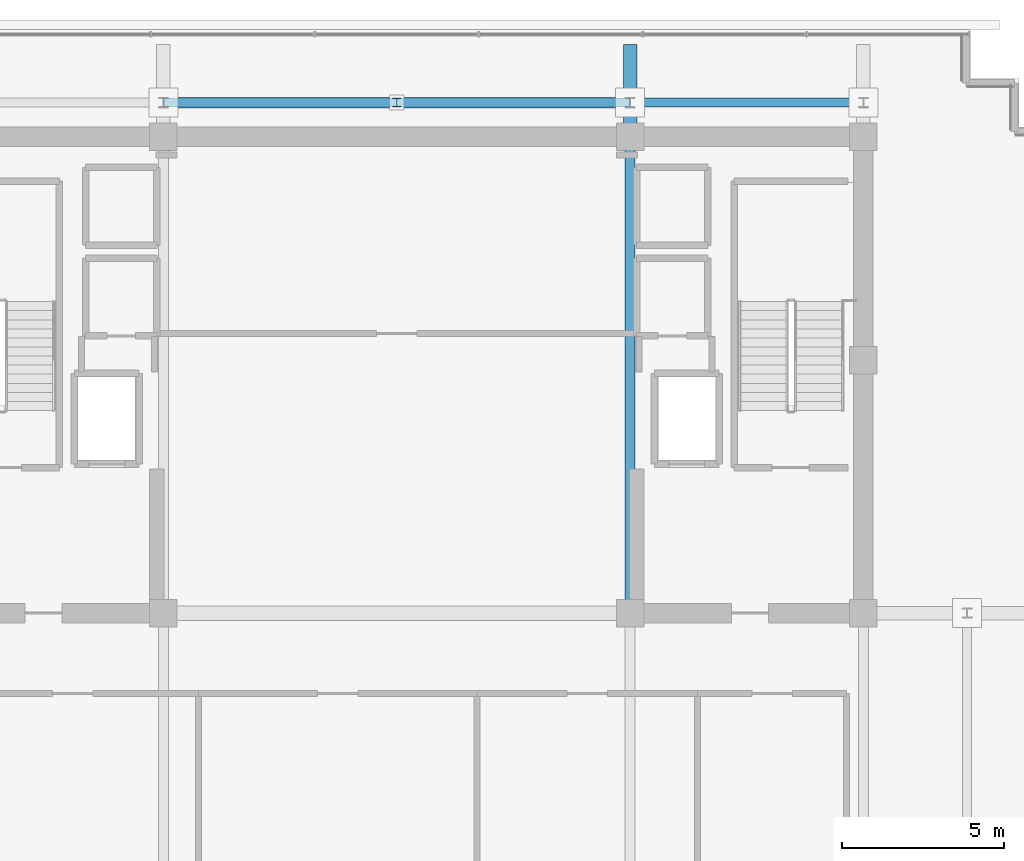
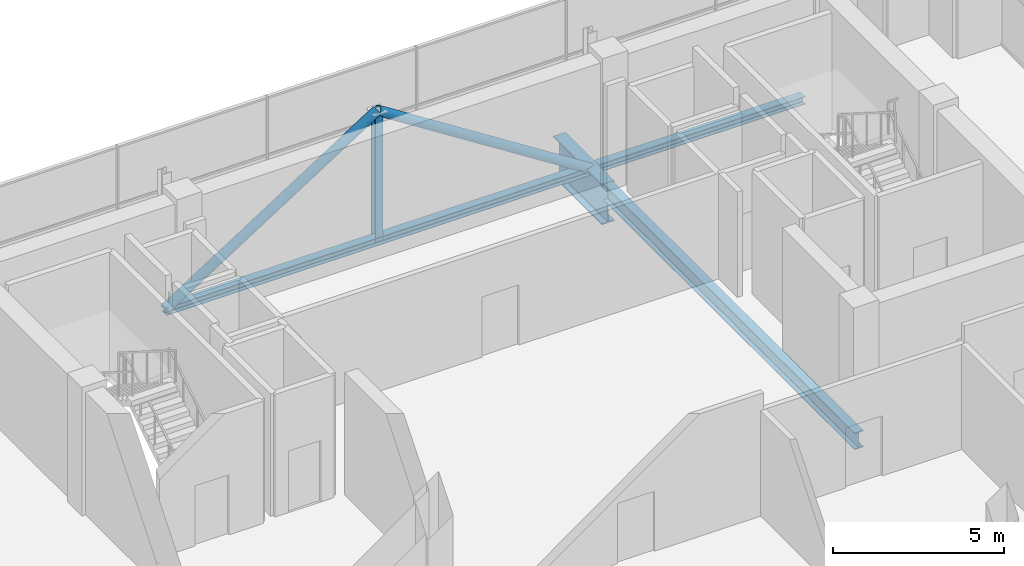
# One storey, part 14 of 28: 4 beams, 3 members.
"""IFC4 building model written with IfcOpenShell, lengths in metres."""

import ifcopenshell
import ifcopenshell.guid

model = None  # the IFC model being written
_history = None  # IfcOwnerHistory: only IFC2X3 demands one
_inside = {}  # id of a spatial element -> (the spatial element, [elements in it])
_under = {}  # id of a project, library or spatial element -> (it, [spatial elements below it])
_declared = {}  # id of a project -> (the project, [libraries it declares])
_typed = {}  # id of a type object -> (the type object, [elements of that type])
_made_of = {}  # id of a material, layer set ... -> (it, [elements and type objects made of it])


def new_model(schema):
    """Start an empty IFC model of exactly this schema.

    Asked for "IFC4X3", IfcOpenShell would pick the latest addendum, in which some entities
    have other attributes; the version numbers below select the first issue.
    IFC2X3 requires an IfcOwnerHistory on every rooted entity: one is made here for all.
    """
    global model, _history
    if schema == "IFC4X3":
        model = ifcopenshell.file(schema_version=(4, 3, 0, 0))
    else:
        model = ifcopenshell.file(schema=schema)
    _inside.clear()
    _under.clear()
    _declared.clear()
    _typed.clear()
    _made_of.clear()
    _history = None
    if model.schema == "IFC2X3":
        org = make("IfcOrganization", Name="unknown")
        user = make(
            "IfcPersonAndOrganization",
            ThePerson=make("IfcPerson", FamilyName="unknown"),
            TheOrganization=org,
        )
        app = make(
            "IfcApplication",
            ApplicationDeveloper=org,
            Version="unknown",
            ApplicationFullName="unknown",
            ApplicationIdentifier="unknown",
        )
        _history = make(
            "IfcOwnerHistory",
            OwningUser=user,
            OwningApplication=app,
            ChangeAction="ADDED",
            CreationDate=0,
        )
    return model


def make(cls, **values):
    """One entity of the class cls with the attributes given. An attribute that is None is left unset."""
    return model.create_entity(
        cls, **{name: value for name, value in values.items() if value is not None}
    )


def rooted(cls, **values):
    """An entity with a GlobalId (a new one), such as an element, a storey or a relation."""
    return make(cls, GlobalId=ifcopenshell.guid.new(), OwnerHistory=_history, **values)


def si_unit(unit_type, name, prefix=None):
    """IfcSIUnit, for example si_unit("LENGTHUNIT", "METRE", prefix="MILLI")."""
    return make("IfcSIUnit", UnitType=unit_type, Prefix=prefix, Name=name)


def assignment(units):
    """IfcUnitAssignment: the units of a project."""
    return None if units is None else make("IfcUnitAssignment", Units=units)


def point(xyz):
    """IfcCartesianPoint."""
    return None if xyz is None else make("IfcCartesianPoint", Coordinates=xyz)


def direction(xyz):
    """IfcDirection."""
    return None if xyz is None else make("IfcDirection", DirectionRatios=xyz)


def frame(location, z_axis=None, x_axis=None):
    """IfcAxis2Placement3D, a coordinate frame: its origin and axes. An axis left out is left unset."""
    return make(
        "IfcAxis2Placement3D",
        Location=point(location),
        Axis=direction(z_axis),
        RefDirection=direction(x_axis),
    )


def frame_2d(location, x_axis=None):
    """IfcAxis2Placement2D, a coordinate frame in the plane: its origin and x axis."""
    return make(
        "IfcAxis2Placement2D", Location=point(location), RefDirection=direction(x_axis)
    )


def origin():
    """The frame at (0, 0, 0) with its axes left unset."""
    return frame((0.0, 0.0, 0.0))


def origin_2d():
    """The frame at (0, 0) in the plane with its x axis left unset."""
    return frame_2d((0.0, 0.0))


def place(relative_to, where):
    """IfcLocalPlacement: puts the frame where relative to a parent placement (None: the world)."""
    return make(
        "IfcLocalPlacement", PlacementRelTo=relative_to, RelativePlacement=where
    )


def context(
    kind, dimensions, precision=None, world=None, true_north=None, identifier=None
):
    """IfcGeometricRepresentationContext, for example the 3D "Model" context."""
    return make(
        "IfcGeometricRepresentationContext",
        ContextIdentifier=identifier,
        ContextType=kind,
        CoordinateSpaceDimension=dimensions,
        Precision=precision,
        WorldCoordinateSystem=world,
        TrueNorth=true_north,
    )


def subcontext(parent, identifier, kind, view, scale=None):
    """IfcGeometricRepresentationSubContext, for example "Body" below "Model"."""
    return make(
        "IfcGeometricRepresentationSubContext",
        ContextIdentifier=identifier,
        ContextType=kind,
        ParentContext=parent,
        TargetScale=scale,
        TargetView=view,
    )


def project(units=None, contexts=None):
    """IfcProject with its units and contexts."""
    return rooted(
        "IfcProject",
        Name="project",
        RepresentationContexts=contexts,
        UnitsInContext=assignment(units),
    )


def spatial(cls, under=None, at=None, **own):
    """A site, building, storey or space (cls), placed at a placement, below another one or the project."""
    s = rooted(cls, ObjectPlacement=at, **own)
    if under is not None:
        _under.setdefault(under.id(), (under, []))[1].append(s)
    return s


def profile(cls, at=None, kind="AREA", **sizes):
    """A parametric profile (cls). Its sizes go by their IFC names, for example OverallWidth=200.0."""
    return make(cls, ProfileType=kind, Position=at, **sizes)


def hollow_circle(**sizes):
    """IfcCircleHollowProfileDef."""
    return profile("IfcCircleHollowProfileDef", **sizes)


def i_section(**sizes):
    """IfcIShapeProfileDef."""
    return profile("IfcIShapeProfileDef", **sizes)


def extrude(swept, where, along, depth):
    """IfcExtrudedAreaSolid: the profile swept, set in the frame where, extruded along a direction by depth."""
    return make(
        "IfcExtrudedAreaSolid",
        SweptArea=swept,
        Position=where,
        ExtrudedDirection=direction(along),
        Depth=depth,
    )


def shape(context_of_items, identifier, shape_type, items):
    """IfcShapeRepresentation: the items that make up one representation, for example the "Body"."""
    return make(
        "IfcShapeRepresentation",
        ContextOfItems=context_of_items,
        RepresentationIdentifier=identifier,
        RepresentationType=shape_type,
        Items=items,
    )


def source(mapping_origin, context_of_items, identifier, shape_type, items):
    """IfcRepresentationMap: a shape defined once, which mapped items show again and again."""
    return make(
        "IfcRepresentationMap",
        MappingOrigin=mapping_origin,
        MappedRepresentation=shape(context_of_items, identifier, shape_type, items),
    )


def transform(
    local_origin,
    x_axis=None,
    y_axis=None,
    z_axis=None,
    scale=None,
    scale2=None,
    scale3=None,
    uniform=True,
):
    """IfcCartesianTransformationOperator3D, or its non-uniform kind. x_axis, y_axis, z_axis: its Axis1, 2, 3."""
    if uniform:
        return make(
            "IfcCartesianTransformationOperator3D",
            Axis1=direction(x_axis),
            Axis2=direction(y_axis),
            LocalOrigin=point(local_origin),
            Scale=scale,
            Axis3=direction(z_axis),
        )
    return make(
        "IfcCartesianTransformationOperator3DnonUniform",
        Axis1=direction(x_axis),
        Axis2=direction(y_axis),
        LocalOrigin=point(local_origin),
        Scale=scale,
        Axis3=direction(z_axis),
        Scale2=scale2,
        Scale3=scale3,
    )


def mapped(mapping_source, mapping_target):
    """IfcMappedItem: shows the shape of a source again, moved by a transform."""
    return make(
        "IfcMappedItem", MappingSource=mapping_source, MappingTarget=mapping_target
    )


def material(Name=None, Category=None):
    """IfcMaterial."""
    return make("IfcMaterial", Name=Name, Category=Category)


def material_profile(
    of_material, cross_section, Name=None, Category=None, Priority=None
):
    """IfcMaterialProfile: a cross section and its material."""
    return make(
        "IfcMaterialProfile",
        Name=Name,
        Material=of_material,
        Profile=cross_section,
        Priority=Priority,
        Category=Category,
    )


def profile_set(profiles, Name=None, composite=None):
    """IfcMaterialProfileSet."""
    return make(
        "IfcMaterialProfileSet",
        Name=Name,
        MaterialProfiles=profiles,
        CompositeProfile=composite,
    )


def made_of(thing, what):
    """Note that an element or type object is made of a material, layer set ...; save() writes the relation."""
    if what is not None:
        _made_of.setdefault(what.id(), (what, []))[1].append(thing)
    return thing


def type_object(cls, material=None, **own):
    """A type object (cls), such as IfcWallType, which elements share."""
    return made_of(rooted(cls, **own), material)


def element(
    cls,
    number,
    at=None,
    inside=None,
    cuts=None,
    type_object=None,
    material=None,
    context=None,
    identifier="Body",
    shape_type=None,
    held_by="IfcProductDefinitionShape",
    body=None,
    shapes=None,
    **own,
):
    """One element of the class cls, such as IfcWall. Its Tag is "e" and its number.

    at: its placement. inside: the storey or other place that contains it. cuts: it is an
    opening in that element (IfcRelVoidsElement). A single representation is given by context,
    identifier, shape_type and body (its items); several are given by shapes. held_by: the class
    of the entity that holds the representations. save() writes the other relations.
    """
    e = rooted(cls, Tag="e%d" % number, ObjectPlacement=at, **own)
    if body is not None:
        shapes = [shape(context, identifier, shape_type, body)]
    if shapes is not None:
        e.Representation = make(held_by, Representations=shapes)
    if inside is not None:
        _inside.setdefault(inside.id(), (inside, []))[1].append(e)
    if cuts is not None:
        rooted(
            "IfcRelVoidsElement", RelatingBuildingElement=cuts, RelatedOpeningElement=e
        )
    if type_object is not None:
        _typed.setdefault(type_object.id(), (type_object, []))[1].append(e)
    return made_of(e, material)


def aggregate(whole, parts):
    """IfcRelAggregates: a whole, such as a stair, and the parts it consists of."""
    return rooted("IfcRelAggregates", RelatingObject=whole, RelatedObjects=parts)


def save(model, path):
    """Write the relations noted so far, then the file.

    IfcRelAggregates (storeys below a building ...), IfcRelContainedInSpatialStructure (elements
    in a storey), IfcRelDefinesByType, IfcRelAssociatesMaterial and IfcRelDeclares: one each for
    every whole, place, type object, material and project.
    """
    for whole, parts in _under.values():
        aggregate(whole, parts)
    for where, things in _inside.values():
        rooted(
            "IfcRelContainedInSpatialStructure",
            RelatedElements=things,
            RelatingStructure=where,
        )
    for kind, things in _typed.values():
        rooted("IfcRelDefinesByType", RelatedObjects=things, RelatingType=kind)
    for what, things in _made_of.values():
        rooted("IfcRelAssociatesMaterial", RelatedObjects=things, RelatingMaterial=what)
    for by, libraries in _declared.values():
        rooted("IfcRelDeclares", RelatingContext=by, RelatedDefinitions=libraries)
    model.write(path)


model = new_model("IFC4")

# Units and contexts
model_context = context("Model", 3, precision=1e-05, world=origin(), true_north=direction((0.0, 1.0)))
body_context = subcontext(model_context, "Body", "Model", "MODEL_VIEW")
ifc_project = project(units=[si_unit("LENGTHUNIT", "METRE"), si_unit("AREAUNIT", "SQUARE_METRE"), si_unit("VOLUMEUNIT", "CUBIC_METRE"), si_unit("PLANEANGLEUNIT", "RADIAN"), si_unit("MASSUNIT", "GRAM", prefix="KILO")], contexts=[model_context])

# Site, building, storey
site_placement = place(None, origin())
site = spatial("IfcSite", under=ifc_project, at=site_placement, CompositionType="ELEMENT")
building_placement = place(site_placement, origin())
building = spatial("IfcBuilding", under=site, at=building_placement, Name="Zarnakvel Exchange Tower", CompositionType="ELEMENT")
storey_placement = place(building_placement, frame((0.0, 0.0, 271.60009765625)))
storey = spatial("IfcBuildingStorey", under=building, at=storey_placement, Name="Crown L77", CompositionType="ELEMENT", Elevation=271.60009765625)

# Beams
ifc_material_1 = material(Name="Steel S355", Category="steel")
ifc_material_profile_1 = material_profile(ifc_material_1, i_section(OverallWidth=0.300048828125, OverallDepth=0.60009765625, WebThickness=0.015380859375, FlangeThickness=0.030029296875, FilletRadius=0.027099609375, at=origin_2d()))
ifc_profile_set_1 = profile_set([ifc_material_profile_1], Name="Steel S355")
beam_type_1 = type_object("IfcBeamType", Name="G-04", PredefinedType="BEAM", material=ifc_profile_set_1)
beam_1_placement = place(storey_placement, frame((7.199951171875, -1.199951171875, -0.52001953125), z_axis=(0.0, 1.0, 0.0), x_axis=(-1.0, 0.0, 0.0)))
element("IfcBeam", 1, at=beam_1_placement, inside=storey, type_object=beam_type_1, Name="Crown L77 Tower N-S Frame Beam", PredefinedType="BEAM", context=body_context, shape_type="SweptSolid", body=[
    extrude(i_section(OverallWidth=0.300048828125, OverallDepth=0.60009765625, WebThickness=0.015380859375, FlangeThickness=0.030029296875, FilletRadius=0.027099609375, at=origin_2d()), origin(), (0.0, 0.0, 1.0), 14.699951171875),
])
ifc_material_profile_2 = material_profile(ifc_material_1, i_section(OverallWidth=0.280029296875, OverallDepth=0.280029296875, WebThickness=0.010498046875, FlangeThickness=0.01806640625, FilletRadius=0.02392578125, at=origin_2d()))
ifc_profile_set_2 = profile_set([ifc_material_profile_2], Name="Steel S355")
beam_type_2 = type_object("IfcBeamType", Name="SP-04", PredefinedType="SPANDREL", material=ifc_profile_set_2)
beam_2_placement = place(storey_placement, frame((-7.199951171875, 14.550048828125, -0.360107421875), z_axis=(1.0, 0.0, 0.0), x_axis=(0.0, 1.0, 0.0)))
element("IfcBeam", 2, at=beam_2_placement, inside=storey, type_object=beam_type_2, Name="Crown L77 Tower E-W Frame Beam", PredefinedType="SPANDREL", context=body_context, shape_type="SweptSolid", body=[
    extrude(i_section(OverallWidth=0.280029296875, OverallDepth=0.280029296875, WebThickness=0.010498046875, FlangeThickness=0.01806640625, FilletRadius=0.02392578125, at=origin_2d()), origin(), (0.0, 0.0, 1.0), 14.39990234375),
])
beam_3_placement = place(storey_placement, frame((7.199951171875, 14.550048828125, -0.360107421875), z_axis=(1.0, 0.0, 0.0), x_axis=(0.0, 1.0, 0.0)))
element("IfcBeam", 3, at=beam_3_placement, inside=storey, type_object=beam_type_2, Name="Crown L77 Tower E-W Frame Beam", PredefinedType="SPANDREL", context=body_context, shape_type="SweptSolid", body=[
    extrude(i_section(OverallWidth=0.280029296875, OverallDepth=0.280029296875, WebThickness=0.010498046875, FlangeThickness=0.01806640625, FilletRadius=0.02392578125, at=origin_2d()), origin(), (0.0, 0.0, 1.0), 7.199951171875),
])
ifc_material_2 = material(Name="Steel S460", Category="steel")
ifc_material_profile_3 = material_profile(ifc_material_2, i_section(OverallWidth=0.419921875, OverallDepth=1.449951171875, WebThickness=0.02392578125, FlangeThickness=0.0400390625, FilletRadius=0.030029296875, at=origin_2d()))
ifc_profile_set_3 = profile_set([ifc_material_profile_3], Name="Steel S460")
beam_type_3 = type_object("IfcBeamType", Name="TG-01", PredefinedType="BEAM", material=ifc_profile_set_3)
beam_4_placement = place(storey_placement, frame((7.199951171875, 13.5, -0.945068359375), z_axis=(0.0, 1.0, 0.0), x_axis=(-1.0, 0.0, 0.0)))
element("IfcBeam", 4, at=beam_4_placement, inside=storey, type_object=beam_type_3, Name="Crown L77 Setback N-S Transfer Girder CN-8", PredefinedType="BEAM", context=body_context, shape_type="SweptSolid", body=[
    extrude(i_section(OverallWidth=0.419921875, OverallDepth=1.449951171875, WebThickness=0.02392578125, FlangeThickness=0.0400390625, FilletRadius=0.030029296875, at=origin_2d()), origin(), (0.0, 0.0, 1.0), 2.85009765625),
])

# Members
ifc_material_profile_4 = material_profile(ifc_material_1, hollow_circle(Radius=0.161865234375, WallThickness=0.01611328125, at=origin_2d()))
ifc_profile_set_4 = profile_set([ifc_material_profile_4], Name="Steel S355")
member_type_1 = type_object("IfcMemberType", Name="CF-03", PredefinedType="BRACE", material=ifc_profile_set_4)
shared_shape_1 = source(origin(), body_context, "Body", "SweptSolid", [
    extrude(hollow_circle(Radius=0.161865234375, WallThickness=0.01611328125, at=origin_2d()), origin(), (0.0, 0.0, 1.0), 8.5439453125),
])
for number, where, z_axis, x_axis, name in (
    (5, (-7.199951171875, 14.550048828125, -0.360107421875), (0.842689417531, 0.0, 0.53839998661), (0.0, 1.0, 0.0), "Crown L77 Crown Chevron Brace L (CF-03)"),
    (6, (7.199951171875, 14.550048828125, -0.360107421875), (-0.842689417531, 0.0, 0.53839998661), (0.0, -1.0, 0.0), "Crown L77 Crown Chevron Brace R (CF-03)"),
):
    element("IfcMember", number, at=place(storey_placement, frame(where, z_axis=z_axis, x_axis=x_axis)), inside=storey, type_object=member_type_1, Name=name, PredefinedType="BRACE", context=body_context, shape_type="MappedRepresentation", body=[
        mapped(shared_shape_1, transform((0.0, 0.0, 0.0), x_axis=(1.0, 0.0, 0.0), y_axis=(0.0, 1.0, 0.0), z_axis=(0.0, 0.0, 1.0), scale=1.0)),
    ])
ifc_material_profile_5 = material_profile(ifc_material_1, i_section(OverallWidth=0.25634765625, OverallDepth=0.26025390625, WebThickness=0.01025390625, FlangeThickness=0.017333984375, FilletRadius=0.0126953125, at=origin_2d()))
ifc_profile_set_5 = profile_set([ifc_material_profile_5], Name="Steel S355")
member_type_2 = type_object("IfcMemberType", Name="CF-04", PredefinedType="STRUT", material=ifc_profile_set_5)
shared_shape_2 = source(origin(), body_context, "Body", "SweptSolid", [
    extrude(i_section(OverallWidth=0.25634765625, OverallDepth=0.26025390625, WebThickness=0.01025390625, FlangeThickness=0.017333984375, FilletRadius=0.0126953125, at=origin_2d()), origin(), (0.0, 0.0, 1.0), 4.60009765625),
])
member_placement = place(storey_placement, frame((0.0, 14.550048828125, -0.360107421875), z_axis=(0.0, 0.0, 1.0), x_axis=(1.0, 0.0, 0.0)))
element("IfcMember", 7, at=member_placement, inside=storey, type_object=member_type_2, Name="Crown L77 Crown Frame Post (CF-04)", PredefinedType="STRUT", context=body_context, shape_type="MappedRepresentation", body=[
    mapped(shared_shape_2, transform((0.0, 0.0, 0.0), x_axis=(1.0, 0.0, 0.0), y_axis=(0.0, 1.0, 0.0), z_axis=(0.0, 0.0, 1.0), scale=1.0)),
])

save(model, "model.ifc")
